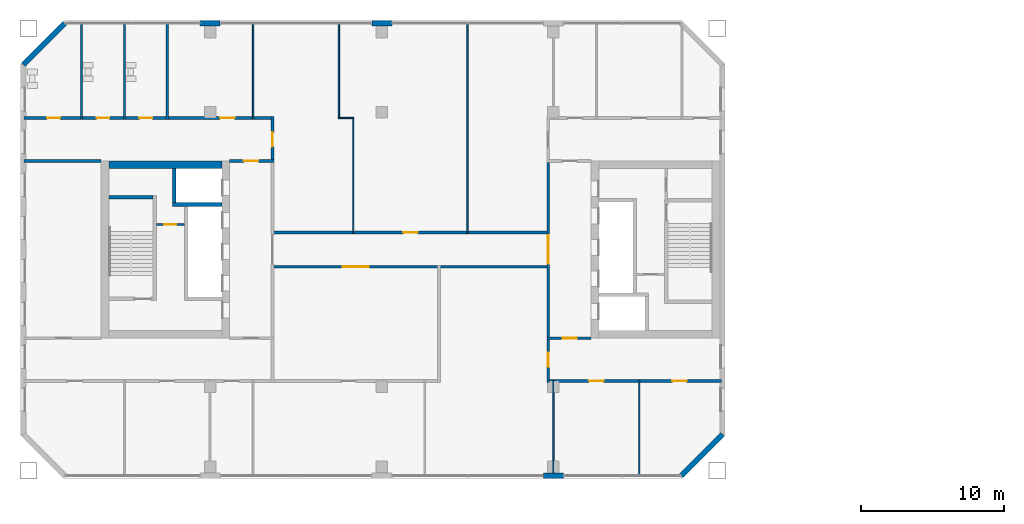
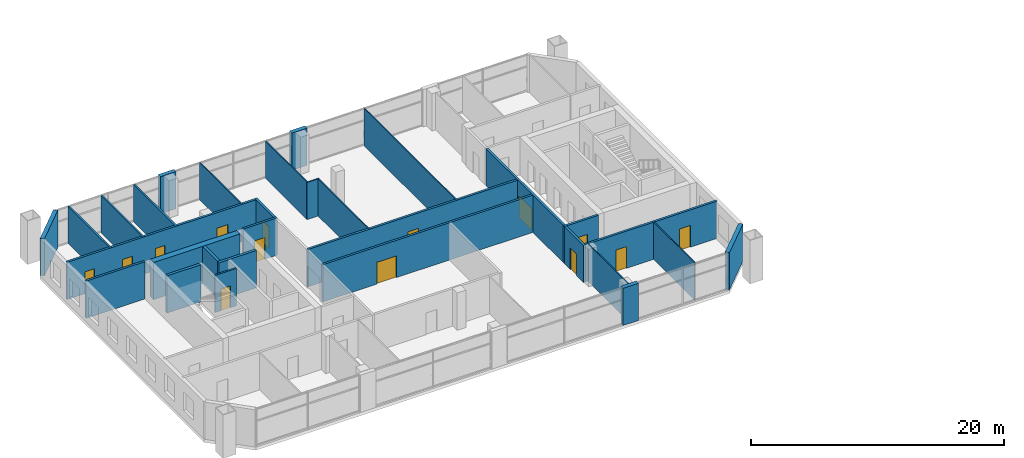
# One storey, part 10 of 17: 30 walls, 14 doors, 14 openings.
"""IFC4 building model written with IfcOpenShell, lengths in metres."""

from ifc_helpers import new_model, si_unit, direction, frame, frame_2d, origin, place, context, subcontext, project, spatial, rectangle, extrude, material, layer, layer_set, type_object, element, fill, save


model = new_model("IFC4")

# Units and contexts
model_context = context("Model", 3, precision=1e-05, world=origin(), true_north=direction((0.0, 1.0)))
body_context = subcontext(model_context, "Body", "Model", "MODEL_VIEW")
ifc_project = project(units=[si_unit("LENGTHUNIT", "METRE"), si_unit("AREAUNIT", "SQUARE_METRE"), si_unit("VOLUMEUNIT", "CUBIC_METRE"), si_unit("PLANEANGLEUNIT", "RADIAN"), si_unit("MASSUNIT", "GRAM", prefix="KILO")], contexts=[model_context])

# Site, building, storey
site_placement = place(None, origin())
site = spatial("IfcSite", under=ifc_project, at=site_placement, CompositionType="ELEMENT")
building_placement = place(site_placement, origin())
building = spatial("IfcBuilding", under=site, at=building_placement, Name="Tuart Gate Housing", CompositionType="ELEMENT")
storey_placement = place(building_placement, frame((0.0, 0.0, 119.5)))
storey = spatial("IfcBuildingStorey", under=building, at=storey_placement, Name="L33", CompositionType="ELEMENT", Elevation=119.5)

# Walls
ifc_material_1 = material(Name="Gypsum board on steel studs", Category="steel")
ifc_layer_1 = layer(ifc_material_1, 0.14990234375)
ifc_layer_set_1 = layer_set([ifc_layer_1], Name="Bathroom wall 150")
wall_type_1 = type_object("IfcWallType", Name="Bathroom wall 150", PredefinedType="PLUMBINGWALL", material=ifc_layer_set_1)
for number, where, z_axis, x_axis, name in (
    (1, (31.0, 79.10009765625, 0.0), (0.0, 0.0, 1.0), (0.0, 1.0, 0.0), "Bathroom wall 150"),
    (2, (34.0, 79.10009765625, 0.0), (0.0, 0.0, 1.0), (0.0, 1.0, 0.0), "Bathroom wall 150"),
    (3, (37.0, 79.10009765625, 0.0), (0.0, 0.0, 1.0), (0.0, 1.0, 0.0), "Bathroom wall 150"),
):
    element("IfcWall", number, at=place(storey_placement, frame(where, z_axis=z_axis, x_axis=x_axis)), inside=storey, type_object=wall_type_1, Name=name, PredefinedType="PLUMBINGWALL", context=body_context, shape_type="SweptSolid", body=[
        extrude(rectangle(XDim=6.659912109375, YDim=0.14990234375, at=frame_2d((3.330078125, 0.0))), origin(), (0.0, 0.0, 1.0), 3.60009765625),
    ])
ifc_material_2 = material(Name="Brick", Category="masonry")
ifc_layer_2 = layer(ifc_material_2, 0.360107421875)
ifc_layer_set_2 = layer_set([ifc_layer_2], Name="Brick pier and spandrel wall 360")
wall_type_2 = type_object("IfcWallType", Name="Brick pier and spandrel wall 360", PredefinedType="STANDARD", material=ifc_layer_set_2)
wall_1_placement = place(storey_placement, frame((63.300048828125, 54.179931640625, 0.0), z_axis=(0.0, 0.0, 1.0), x_axis=(1.0, 0.0, 0.0)))
element("IfcWall", 4, at=wall_1_placement, inside=storey, type_object=wall_type_2, Name="External wall A-S L33", PredefinedType="STANDARD", context=body_context, shape_type="SweptSolid", body=[
    extrude(rectangle(XDim=1.39990234375, YDim=0.360107421875, at=frame_2d((0.699951171875, 0.0))), origin(), (0.0, 0.0, 1.0), 3.60009765625),
])
wall_2_placement = place(storey_placement, frame((72.92529296875, 54.179931640625, 0.0), z_axis=(0.0, 0.0, 1.0), x_axis=(0.707106781187, 0.707106781187, 0.0)))
element("IfcWall", 5, at=wall_2_placement, inside=storey, type_object=wall_type_2, Name="External wall A-SE L33", PredefinedType="STANDARD", context=body_context, shape_type="SweptSolid", body=[
    extrude(rectangle(XDim=4.09375, YDim=0.360107421875, at=frame_2d((2.046875, 0.0))), origin(), (0.0, 0.0, 1.0), 3.60009765625),
])
for number, where, z_axis, x_axis, name in (
    (6, (52.699951171875, 85.820068359375, 0.0), (0.0, 0.0, 1.0), (-1.0, 0.0, 0.0), "External wall A-N L33"),
    (7, (40.699951171875, 85.820068359375, 0.0), (0.0, 0.0, 1.0), (-1.0, 0.0, 0.0), "External wall A-N L33"),
):
    element("IfcWall", number, at=place(storey_placement, frame(where, z_axis=z_axis, x_axis=x_axis)), inside=storey, type_object=wall_type_2, Name=name, PredefinedType="STANDARD", context=body_context, shape_type="SweptSolid", body=[
        extrude(rectangle(XDim=1.39990234375, YDim=0.360107421875, at=frame_2d((0.699951171875, 0.0))), origin(), (0.0, 0.0, 1.0), 3.60009765625),
    ])
wall_3_placement = place(storey_placement, frame((29.82470703125, 85.820068359375, 0.0), z_axis=(0.0, 0.0, 1.0), x_axis=(-0.707106781187, -0.707106781187, 0.0)))
element("IfcWall", 8, at=wall_3_placement, inside=storey, type_object=wall_type_2, Name="External wall A-NW L33", PredefinedType="STANDARD", context=body_context, shape_type="SweptSolid", body=[
    extrude(rectangle(XDim=4.09375, YDim=0.360107421875, at=frame_2d((2.046875, 0.0))), origin(), (0.0, 0.0, 1.0), 3.60009765625),
])

# Wall, opening, door
ifc_material_3 = material(Name="Plasterboard partition")
ifc_layer_3 = layer(ifc_material_3, 0.14990234375)
ifc_layer_set_3 = layer_set([ifc_layer_3], Name="Core partition 150")
wall_type_3 = type_object("IfcWallType", Name="Core partition 150", PredefinedType="PARTITIONING", material=ifc_layer_set_3)
wall_4_placement = place(storey_placement, frame((38.18505859375, 71.75, 0.0), z_axis=(0.0, 0.0, 1.0), x_axis=(-1.0, 0.0, 0.0)))
wall_4 = element("IfcWall", 9, at=wall_4_placement, inside=storey, type_object=wall_type_3, Name="Core partition AK.3", PredefinedType="PARTITIONING", context=body_context, shape_type="SweptSolid", body=[
    extrude(rectangle(XDim=1.949951171875, YDim=0.14990234375, at=frame_2d((0.97509765625, 0.0))), origin(), (0.0, 0.0, 1.0), 3.60009765625),
])
opening_1_placement = place(wall_4_placement, frame((0.550048828125, 0.0, 0.0)))
opening_1 = element("IfcOpeningElement", 10, at=opening_1_placement, cuts=wall_4, Name="Opening D154", PredefinedType="OPENING", context=body_context, shape_type="SweptSolid", body=[
    extrude(rectangle(XDim=0.85009765625, YDim=2.10009765625, at=frame_2d((0.425048828125, 1.050048828125))), frame((0.0, 0.0849609375, 0.0), z_axis=(0.0, -1.0, 0.0), x_axis=(1.0, 0.0, 0.0)), (0.0, 0.0, 1.0), 0.169921875),
])
ifc_material_4 = material(Name="Steel fire door", Category="steel")
door_type_1 = type_object("IfcDoorType", Name="Riser door 850 x 2100 RH", OperationType="SINGLE_SWING_RIGHT", PredefinedType="DOOR", material=ifc_material_4)
door_1_placement = place(opening_1_placement, frame((0.85009765625, 0.0, 0.0), z_axis=(0.0, 0.0, 1.0), x_axis=(-1.0, 0.0, 0.0)))
door_1 = element("IfcDoor", 11, at=door_1_placement, inside=storey, type_object=door_type_1, Name="Service room door AK.E1", OperationType="SINGLE_SWING_RIGHT", OverallHeight=2.10009765625, OverallWidth=0.85009765625, PredefinedType="DOOR", context=body_context, shape_type="SweptSolid", body=[
    extrude(rectangle(XDim=0.85009765625, YDim=2.10009765625, at=frame_2d((0.425048828125, 1.050048828125))), frame((0.0, 0.025146484375, 0.0), z_axis=(0.0, -1.0, 0.0), x_axis=(1.0, 0.0, 0.0)), (0.0, 0.0, 1.0), 0.050048828125),
])
fill(opening_1, door_1)

# Walls
ifc_material_5 = material(Name="Concrete C50", Category="concrete")
ifc_layer_4 = layer(ifc_material_5, 0.25)
ifc_layer_set_4 = layer_set([ifc_layer_4], Name="Core wall 250 C50")
wall_type_4 = type_object("IfcWallType", Name="Core wall 250 C50", PredefinedType="SHEAR", material=ifc_layer_set_4)
wall_5_placement = place(storey_placement, frame((35.985107421875, 73.64990234375, 0.0), z_axis=(0.0, 0.0, 1.0), x_axis=(-1.0, 0.0, 0.0)))
element("IfcWall", 12, at=wall_5_placement, inside=storey, type_object=wall_type_4, Name="Core wall AK.1", PredefinedType="SHEAR", context=body_context, shape_type="SweptSolid", body=[
    extrude(rectangle(XDim=3.0751953125, YDim=0.25, at=frame_2d((1.53759765625, 0.0))), origin(), (0.0, 0.0, 1.0), 3.60009765625),
])
wall_6_placement = place(storey_placement, frame((40.81005859375, 73.14990234375, 0.0), z_axis=(0.0, 0.0, 1.0), x_axis=(-1.0, 0.0, 0.0)))
element("IfcWall", 13, at=wall_6_placement, inside=storey, type_object=wall_type_4, Name="Core wall AK.2", PredefinedType="SHEAR", context=body_context, shape_type="SweptSolid", body=[
    extrude(rectangle(XDim=3.445068359375, YDim=0.25, at=frame_2d((1.72265625, 0.0))), origin(), (0.0, 0.0, 1.0), 3.60009765625),
])
wall_7_placement = place(storey_placement, frame((37.489990234375, 75.64990234375, 0.0), z_axis=(0.0, 0.0, 1.0), x_axis=(0.0, -1.0, 0.0)))
element("IfcWall", 14, at=wall_7_placement, inside=storey, type_object=wall_type_4, Name="Core wall AK.7", PredefinedType="SHEAR", context=body_context, shape_type="SweptSolid", body=[
    extrude(rectangle(XDim=2.375, YDim=0.25, at=frame_2d((1.1875, 0.0))), origin(), (0.0, 0.0, 1.0), 3.60009765625),
])
ifc_material_6 = material(Name="Concrete C50", Category="concrete")
ifc_layer_5 = layer(ifc_material_6, 0.550048828125)
ifc_layer_set_5 = layer_set([ifc_layer_5], Name="Core wall 550 C50")
wall_type_5 = type_object("IfcWallType", Name="Core wall 550 C50", PredefinedType="SHEAR", material=ifc_layer_set_5)
wall_8_placement = place(storey_placement, frame((40.81005859375, 75.925048828125, 0.0), z_axis=(0.0, 0.0, 1.0), x_axis=(-1.0, 0.0, 0.0)))
element("IfcWall", 15, at=wall_8_placement, inside=storey, type_object=wall_type_5, Name="Core wall AK south", PredefinedType="SHEAR", context=body_context, shape_type="SweptSolid", body=[
    extrude(rectangle(XDim=7.900146484375, YDim=0.550048828125, at=frame_2d((3.9501953125, 0.0))), origin(), (0.0, 0.0, 1.0), 3.60009765625),
])

# Wall, openings, doors
ifc_material_7 = material(Name="Concrete masonry 15 MPa", Category="masonry")
ifc_layer_6 = layer(ifc_material_7, 0.199951171875)
ifc_layer_set_6 = layer_set([ifc_layer_6], Name="Corridor wall masonry 200")
wall_type_6 = type_object("IfcWallType", Name="Corridor wall masonry 200", PredefinedType="PARTITIONING", material=ifc_layer_set_6)
wall_9_placement = place(storey_placement, frame((63.5400390625, 60.800048828125, 0.0), z_axis=(0.0, 0.0, 1.0), x_axis=(1.0, 0.0, 0.0)))
wall_9 = element("IfcWall", 16, at=wall_9_placement, inside=storey, type_object=wall_type_6, Name="Corridor wall masonry 200", PredefinedType="PARTITIONING", context=body_context, shape_type="SweptSolid", body=[
    extrude(rectangle(XDim=12.219970703125, YDim=0.199951171875, at=frame_2d((6.10986328125, 0.0))), origin(), (0.0, 0.0, 1.0), 3.60009765625),
])
opening_2_placement = place(wall_9_placement, frame((2.9599609375, 0.0, 0.0)))
opening_2 = element("IfcOpeningElement", 17, at=opening_2_placement, cuts=wall_9, Name="Opening D172", PredefinedType="OPENING", context=body_context, shape_type="SweptSolid", body=[
    extrude(rectangle(XDim=1.0, YDim=2.10009765625, at=frame_2d((0.5, 1.050048828125))), frame((0.0, 0.10986328125, 0.0), z_axis=(0.0, -1.0, 0.0), x_axis=(1.0, 0.0, 0.0)), (0.0, 0.0, 1.0), 0.219970703125),
])
opening_3_placement = place(wall_9_placement, frame((8.780029296875, 0.0, 0.0)))
opening_3 = element("IfcOpeningElement", 18, at=opening_3_placement, cuts=wall_9, Name="Opening D173", PredefinedType="OPENING", context=body_context, shape_type="SweptSolid", body=[
    extrude(rectangle(XDim=1.0, YDim=2.10009765625, at=frame_2d((0.5, 1.050048828125))), frame((0.0, 0.10986328125, 0.0), z_axis=(0.0, -1.0, 0.0), x_axis=(1.0, 0.0, 0.0)), (0.0, 0.0, 1.0), 0.219970703125),
])
ifc_material_8 = material(Name="Timber door leaf in steel frame", Category="steel")
door_type_2 = type_object("IfcDoorType", Name="Fire door 1000 RH", OperationType="SINGLE_SWING_RIGHT", PredefinedType="DOOR", material=ifc_material_8)
door_2_placement = place(opening_2_placement, frame((1.0, 0.0, 0.0), z_axis=(0.0, 0.0, 1.0), x_axis=(-1.0, 0.0, 0.0)))
door_2 = element("IfcDoor", 19, at=door_2_placement, inside=storey, type_object=door_type_2, Name="Fire door 1000", OperationType="SINGLE_SWING_RIGHT", OverallHeight=2.10009765625, OverallWidth=1.0, PredefinedType="DOOR", context=body_context, shape_type="SweptSolid", body=[
    extrude(rectangle(XDim=1.0, YDim=2.10009765625, at=frame_2d((0.5, 1.050048828125))), frame((0.0, 0.025146484375, 0.0), z_axis=(0.0, -1.0, 0.0), x_axis=(1.0, 0.0, 0.0)), (0.0, 0.0, 1.0), 0.050048828125),
])
fill(opening_2, door_2)
door_3_placement = place(opening_3_placement, frame((1.0, 0.0, 0.0), z_axis=(0.0, 0.0, 1.0), x_axis=(-1.0, 0.0, 0.0)))
door_3 = element("IfcDoor", 20, at=door_3_placement, inside=storey, type_object=door_type_2, Name="Fire door 1000", OperationType="SINGLE_SWING_RIGHT", OverallHeight=2.10009765625, OverallWidth=1.0, PredefinedType="DOOR", context=body_context, shape_type="SweptSolid", body=[
    extrude(rectangle(XDim=1.0, YDim=2.10009765625, at=frame_2d((0.5, 1.050048828125))), frame((0.0, 0.025146484375, 0.0), z_axis=(0.0, -1.0, 0.0), x_axis=(1.0, 0.0, 0.0)), (0.0, 0.0, 1.0), 0.050048828125),
])
fill(opening_3, door_3)

# Wall, opening, door
wall_10_placement = place(storey_placement, frame((44.360107421875, 68.800048828125, 0.0), z_axis=(0.0, 0.0, 1.0), x_axis=(1.0, 0.0, 0.0)))
wall_10 = element("IfcWall", 21, at=wall_10_placement, inside=storey, type_object=wall_type_6, Name="Corridor wall masonry 200", PredefinedType="PARTITIONING", context=body_context, shape_type="SweptSolid", body=[
    extrude(rectangle(XDim=19.27978515625, YDim=0.199951171875, at=frame_2d((9.639892578125, 0.0))), origin(), (0.0, 0.0, 1.0), 3.60009765625),
])
opening_4_placement = place(wall_10_placement, frame((4.919921875, 0.0, 0.0)))
opening_4 = element("IfcOpeningElement", 22, at=opening_4_placement, cuts=wall_10, Name="Opening D161", PredefinedType="OPENING", context=body_context, shape_type="SweptSolid", body=[
    extrude(rectangle(XDim=1.800048828125, YDim=2.10009765625, at=frame_2d((0.89990234375, 1.050048828125))), frame((0.0, 0.10986328125, 0.0), z_axis=(0.0, -1.0, 0.0), x_axis=(1.0, 0.0, 0.0)), (0.0, 0.0, 1.0), 0.219970703125),
])
ifc_material_9 = material(Name="Timber door leaf in steel frame", Category="steel")
door_type_3 = type_object("IfcDoorType", Name="Double door 1800", OperationType="DOUBLE_DOOR_SINGLE_SWING", PredefinedType="DOOR", material=ifc_material_9)
door_4_placement = place(opening_4_placement, frame((1.800048828125, 0.0, 0.0), z_axis=(0.0, 0.0, 1.0), x_axis=(-1.0, 0.0, 0.0)))
door_4 = element("IfcDoor", 23, at=door_4_placement, inside=storey, type_object=door_type_3, Name="Double door 1800", OperationType="DOUBLE_DOOR_SINGLE_SWING", OverallHeight=2.10009765625, OverallWidth=1.800048828125, PredefinedType="DOOR", context=body_context, shape_type="SweptSolid", body=[
    extrude(rectangle(XDim=1.800048828125, YDim=2.10009765625, at=frame_2d((0.900146484375, 1.050048828125))), frame((0.0, 0.025146484375, 0.0), z_axis=(0.0, -1.0, 0.0), x_axis=(1.0, 0.0, 0.0)), (0.0, 0.0, 1.0), 0.050048828125),
])
fill(opening_4, door_4)

wall_11_placement = place(storey_placement, frame((44.360107421875, 71.199951171875, 0.0), z_axis=(0.0, 0.0, 1.0), x_axis=(1.0, 0.0, 0.0)))
wall_11 = element("IfcWall", 24, at=wall_11_placement, inside=storey, type_object=wall_type_6, Name="Corridor wall masonry 200", PredefinedType="PARTITIONING", context=body_context, shape_type="SweptSolid", body=[
    extrude(rectangle(XDim=19.27978515625, YDim=0.199951171875, at=frame_2d((9.639892578125, 0.0))), origin(), (0.0, 0.0, 1.0), 3.60009765625),
])
opening_5_placement = place(wall_11_placement, frame((9.139892578125, 0.0, 0.0)))
opening_5 = element("IfcOpeningElement", 25, at=opening_5_placement, cuts=wall_11, Name="Opening D155", PredefinedType="OPENING", context=body_context, shape_type="SweptSolid", body=[
    extrude(rectangle(XDim=1.0, YDim=2.10009765625, at=frame_2d((0.5, 1.050048828125))), frame((0.0, 0.10986328125, 0.0), z_axis=(0.0, -1.0, 0.0), x_axis=(1.0, 0.0, 0.0)), (0.0, 0.0, 1.0), 0.219970703125),
])
ifc_material_10 = material(Name="Timber door leaf in steel frame", Category="steel")
door_type_4 = type_object("IfcDoorType", Name="Fire door 1000", OperationType="SINGLE_SWING_LEFT", PredefinedType="DOOR", material=ifc_material_10)
door_5_placement = place(opening_5_placement, origin())
door_5 = element("IfcDoor", 26, at=door_5_placement, inside=storey, type_object=door_type_4, Name="Fire door 1000", OperationType="SINGLE_SWING_LEFT", OverallHeight=2.10009765625, OverallWidth=1.0, PredefinedType="DOOR", context=body_context, shape_type="SweptSolid", body=[
    extrude(rectangle(XDim=1.0, YDim=2.10009765625, at=frame_2d((0.5, 1.050048828125))), frame((0.0, 0.02490234375, 0.0), z_axis=(0.0, -1.0, 0.0), x_axis=(1.0, 0.0, 0.0)), (0.0, 0.0, 1.0), 0.050048828125),
])
fill(opening_5, door_5)

# Wall
wall_12_placement = place(storey_placement, frame((26.989990234375, 76.199951171875, 0.0), z_axis=(0.0, 0.0, 1.0), x_axis=(1.0, 0.0, 0.0)))
element("IfcWall", 27, at=wall_12_placement, inside=storey, type_object=wall_type_6, Name="Corridor wall masonry 200", PredefinedType="PARTITIONING", context=body_context, shape_type="SweptSolid", body=[
    extrude(rectangle(XDim=5.3701171875, YDim=0.199951171875, at=frame_2d((2.68505859375, 0.0))), origin(), (0.0, 0.0, 1.0), 3.60009765625),
])

# Wall, openings, doors
wall_13_placement = place(storey_placement, frame((26.989990234375, 79.199951171875, 0.0), z_axis=(0.0, 0.0, 1.0), x_axis=(1.0, 0.0, 0.0)))
wall_13 = element("IfcWall", 28, at=wall_13_placement, inside=storey, type_object=wall_type_6, Name="Corridor wall masonry 200", PredefinedType="PARTITIONING", context=body_context, shape_type="SweptSolid", body=[
    extrude(rectangle(XDim=17.469970703125, YDim=0.199951171875, at=frame_2d((8.73486328125, 0.0))), origin(), (0.0, 0.0, 1.0), 3.60009765625),
])
opening_6_placement = place(wall_13_placement, frame((1.614990234375, 0.0, 0.0)))
opening_6 = element("IfcOpeningElement", 29, at=opening_6_placement, cuts=wall_13, Name="Opening D143", PredefinedType="OPENING", context=body_context, shape_type="SweptSolid", body=[
    extrude(rectangle(XDim=0.89990234375, YDim=2.10009765625, at=frame_2d((0.449951171875, 1.050048828125))), frame((0.0, 0.10986328125, 0.0), z_axis=(0.0, -1.0, 0.0), x_axis=(1.0, 0.0, 0.0)), (0.0, 0.0, 1.0), 0.219970703125),
])
opening_7_placement = place(wall_13_placement, frame((5.06005859375, 0.0, 0.0)))
opening_7 = element("IfcOpeningElement", 30, at=opening_7_placement, cuts=wall_13, Name="Opening D144", PredefinedType="OPENING", context=body_context, shape_type="SweptSolid", body=[
    extrude(rectangle(XDim=0.89990234375, YDim=2.10009765625, at=frame_2d((0.449951171875, 1.050048828125))), frame((0.0, 0.10986328125, 0.0), z_axis=(0.0, -1.0, 0.0), x_axis=(1.0, 0.0, 0.0)), (0.0, 0.0, 1.0), 0.219970703125),
])
opening_8_placement = place(wall_13_placement, frame((8.06005859375, 0.0, 0.0)))
opening_8 = element("IfcOpeningElement", 31, at=opening_8_placement, cuts=wall_13, Name="Opening D145", PredefinedType="OPENING", context=body_context, shape_type="SweptSolid", body=[
    extrude(rectangle(XDim=0.89990234375, YDim=2.10009765625, at=frame_2d((0.449951171875, 1.050048828125))), frame((0.0, 0.10986328125, 0.0), z_axis=(0.0, -1.0, 0.0), x_axis=(1.0, 0.0, 0.0)), (0.0, 0.0, 1.0), 0.219970703125),
])
opening_9_placement = place(wall_13_placement, frame((13.7099609375, 0.0, 0.0)))
opening_9 = element("IfcOpeningElement", 32, at=opening_9_placement, cuts=wall_13, Name="Opening D142", PredefinedType="OPENING", context=body_context, shape_type="SweptSolid", body=[
    extrude(rectangle(XDim=1.0, YDim=2.10009765625, at=frame_2d((0.5, 1.050048828125))), frame((0.0, 0.10986328125, 0.0), z_axis=(0.0, -1.0, 0.0), x_axis=(1.0, 0.0, 0.0)), (0.0, 0.0, 1.0), 0.219970703125),
])
door_6_placement = place(opening_9_placement, origin())
door_6 = element("IfcDoor", 33, at=door_6_placement, inside=storey, type_object=door_type_2, Name="Fire door 1000", OperationType="SINGLE_SWING_RIGHT", OverallHeight=2.10009765625, OverallWidth=1.0, PredefinedType="DOOR", context=body_context, shape_type="SweptSolid", body=[
    extrude(rectangle(XDim=1.0, YDim=2.10009765625, at=frame_2d((0.5, 1.050048828125))), frame((0.0, 0.02490234375, 0.0), z_axis=(0.0, -1.0, 0.0), x_axis=(1.0, 0.0, 0.0)), (0.0, 0.0, 1.0), 0.050048828125),
])
fill(opening_9, door_6)
ifc_material_11 = material(Name="Timber door leaf in steel frame", Category="steel")
door_type_5 = type_object("IfcDoorType", Name="Fire door 900", OperationType="SINGLE_SWING_LEFT", PredefinedType="DOOR", material=ifc_material_11)
door_7_placement = place(opening_6_placement, origin())
door_7 = element("IfcDoor", 34, at=door_7_placement, inside=storey, type_object=door_type_5, Name="Fire door 900", OperationType="SINGLE_SWING_LEFT", OverallHeight=2.10009765625, OverallWidth=0.89990234375, PredefinedType="DOOR", context=body_context, shape_type="SweptSolid", body=[
    extrude(rectangle(XDim=0.89990234375, YDim=2.10009765625, at=frame_2d((0.449951171875, 1.050048828125))), frame((0.0, 0.02490234375, 0.0), z_axis=(0.0, -1.0, 0.0), x_axis=(1.0, 0.0, 0.0)), (0.0, 0.0, 1.0), 0.050048828125),
])
fill(opening_6, door_7)
door_8_placement = place(opening_7_placement, origin())
door_8 = element("IfcDoor", 35, at=door_8_placement, inside=storey, type_object=door_type_5, Name="Fire door 900", OperationType="SINGLE_SWING_LEFT", OverallHeight=2.10009765625, OverallWidth=0.89990234375, PredefinedType="DOOR", context=body_context, shape_type="SweptSolid", body=[
    extrude(rectangle(XDim=0.89990234375, YDim=2.10009765625, at=frame_2d((0.449951171875, 1.050048828125))), frame((0.0, 0.02490234375, 0.0), z_axis=(0.0, -1.0, 0.0), x_axis=(1.0, 0.0, 0.0)), (0.0, 0.0, 1.0), 0.050048828125),
])
fill(opening_7, door_8)
door_9_placement = place(opening_8_placement, origin())
door_9 = element("IfcDoor", 36, at=door_9_placement, inside=storey, type_object=door_type_5, Name="Fire door 900", OperationType="SINGLE_SWING_LEFT", OverallHeight=2.10009765625, OverallWidth=0.89990234375, PredefinedType="DOOR", context=body_context, shape_type="SweptSolid", body=[
    extrude(rectangle(XDim=0.89990234375, YDim=2.10009765625, at=frame_2d((0.449951171875, 1.050048828125))), frame((0.0, 0.02490234375, 0.0), z_axis=(0.0, -1.0, 0.0), x_axis=(1.0, 0.0, 0.0)), (0.0, 0.0, 1.0), 0.050048828125),
])
fill(opening_8, door_9)

# Wall, opening, door
wall_14_placement = place(storey_placement, frame((44.360107421875, 76.10009765625, 0.0), z_axis=(0.0, 0.0, 1.0), x_axis=(0.0, 1.0, 0.0)))
wall_14 = element("IfcWall", 37, at=wall_14_placement, inside=storey, type_object=wall_type_6, Name="Corridor wall masonry 200", PredefinedType="PARTITIONING", context=body_context, shape_type="SweptSolid", body=[
    extrude(rectangle(XDim=3.199951171875, YDim=0.199951171875, at=frame_2d((1.60009765625, 0.0))), origin(), (0.0, 0.0, 1.0), 3.60009765625),
])
opening_10_placement = place(wall_14_placement, frame((1.10009765625, 0.0, 0.0)))
opening_10 = element("IfcOpeningElement", 38, at=opening_10_placement, cuts=wall_14, Name="Opening D149", PredefinedType="OPENING", context=body_context, shape_type="SweptSolid", body=[
    extrude(rectangle(XDim=1.0, YDim=2.10009765625, at=frame_2d((0.5, 1.050048828125))), frame((0.0, 0.10986328125, 0.0), z_axis=(0.0, -1.0, 0.0), x_axis=(1.0, 0.0, 0.0)), (0.0, 0.0, 1.0), 0.219970703125),
])
door_10_placement = place(opening_10_placement, frame((1.0, 0.0, 0.0), z_axis=(0.0, 0.0, 1.0), x_axis=(-1.0, 0.0, 0.0)))
door_10 = element("IfcDoor", 39, at=door_10_placement, inside=storey, type_object=door_type_2, Name="Fire door 1000", OperationType="SINGLE_SWING_RIGHT", OverallHeight=2.10009765625, OverallWidth=1.0, PredefinedType="DOOR", context=body_context, shape_type="SweptSolid", body=[
    extrude(rectangle(XDim=1.0, YDim=2.10009765625, at=frame_2d((0.5, 1.050048828125))), frame((0.0, 0.025146484375, 0.0), z_axis=(0.0, -1.0, 0.0), x_axis=(1.0, 0.0, 0.0)), (0.0, 0.0, 1.0), 0.050048828125),
])
fill(opening_10, door_10)

wall_15_placement = place(storey_placement, frame((63.639892578125, 60.699951171875, 0.0), z_axis=(0.0, 0.0, 1.0), x_axis=(0.0, 1.0, 0.0)))
wall_15 = element("IfcWall", 40, at=wall_15_placement, inside=storey, type_object=wall_type_6, Name="Corridor wall masonry 200", PredefinedType="PARTITIONING", context=body_context, shape_type="SweptSolid", body=[
    extrude(rectangle(XDim=3.199951171875, YDim=0.199951171875, at=frame_2d((1.60009765625, 0.0))), origin(), (0.0, 0.0, 1.0), 3.60009765625),
])
opening_11_placement = place(wall_15_placement, frame((1.10009765625, 0.0, 0.0)))
opening_11 = element("IfcOpeningElement", 41, at=opening_11_placement, cuts=wall_15, Name="Opening D167", PredefinedType="OPENING", context=body_context, shape_type="SweptSolid", body=[
    extrude(rectangle(XDim=1.0, YDim=2.10009765625, at=frame_2d((0.5, 1.050048828125))), frame((0.0, 0.10986328125, 0.0), z_axis=(0.0, -1.0, 0.0), x_axis=(1.0, 0.0, 0.0)), (0.0, 0.0, 1.0), 0.219970703125),
])
door_11_placement = place(opening_11_placement, frame((1.0, 0.0, 0.0), z_axis=(0.0, 0.0, 1.0), x_axis=(-1.0, 0.0, 0.0)))
door_11 = element("IfcDoor", 42, at=door_11_placement, inside=storey, type_object=door_type_2, Name="Fire door 1000", OperationType="SINGLE_SWING_RIGHT", OverallHeight=2.10009765625, OverallWidth=1.0, PredefinedType="DOOR", context=body_context, shape_type="SweptSolid", body=[
    extrude(rectangle(XDim=1.0, YDim=2.10009765625, at=frame_2d((0.5, 1.050048828125))), frame((0.0, 0.025146484375, 0.0), z_axis=(0.0, -1.0, 0.0), x_axis=(1.0, 0.0, 0.0)), (0.0, 0.0, 1.0), 0.050048828125),
])
fill(opening_11, door_11)

ifc_material_12 = material(Name="Concrete masonry 15 MPa", Category="masonry")
ifc_layer_7 = layer(ifc_material_12, 0.199951171875)
ifc_layer_set_7 = layer_set([ifc_layer_7], Name="Enclosure wall masonry 200")
wall_type_7 = type_object("IfcWallType", Name="Enclosure wall masonry 200", PredefinedType="PARTITIONING", material=ifc_layer_set_7)
wall_16_placement = place(storey_placement, frame((63.5400390625, 63.800048828125, 0.0), z_axis=(0.0, 0.0, 1.0), x_axis=(1.0, 0.0, 0.0)))
wall_16 = element("IfcWall", 43, at=wall_16_placement, inside=storey, type_object=wall_type_7, Name="Enclosure wall masonry 200", PredefinedType="PARTITIONING", context=body_context, shape_type="SweptSolid", body=[
    extrude(rectangle(XDim=3.099853515625, YDim=0.199951171875, at=frame_2d((1.5498046875, 0.0))), origin(), (0.0, 0.0, 1.0), 3.60009765625),
])
opening_12_placement = place(wall_16_placement, frame((1.10009765625, 0.0, 0.0)))
opening_12 = element("IfcOpeningElement", 44, at=opening_12_placement, cuts=wall_16, Name="Opening D166", PredefinedType="OPENING", context=body_context, shape_type="SweptSolid", body=[
    extrude(rectangle(XDim=1.0, YDim=2.10009765625, at=frame_2d((0.5, 1.050048828125))), frame((0.0, 0.10986328125, 0.0), z_axis=(0.0, -1.0, 0.0), x_axis=(1.0, 0.0, 0.0)), (0.0, 0.0, 1.0), 0.219970703125),
])
ifc_material_13 = material(Name="Timber door leaf in steel frame", Category="steel")
door_type_6 = type_object("IfcDoorType", Name="Lobby door 1000 RH", OperationType="SINGLE_SWING_RIGHT", PredefinedType="DOOR", material=ifc_material_13)
door_12_placement = place(opening_12_placement, frame((1.0, 0.0, 0.0), z_axis=(0.0, 0.0, 1.0), x_axis=(-1.0, 0.0, 0.0)))
door_12 = element("IfcDoor", 45, at=door_12_placement, inside=storey, type_object=door_type_6, Name="Lobby door 1000", OperationType="SINGLE_SWING_RIGHT", OverallHeight=2.10009765625, OverallWidth=1.0, PredefinedType="DOOR", context=body_context, shape_type="SweptSolid", body=[
    extrude(rectangle(XDim=1.0, YDim=2.10009765625, at=frame_2d((0.5, 1.050048828125))), frame((0.0, 0.025146484375, 0.0), z_axis=(0.0, -1.0, 0.0), x_axis=(1.0, 0.0, 0.0)), (0.0, 0.0, 1.0), 0.050048828125),
])
fill(opening_12, door_12)

wall_17_placement = place(storey_placement, frame((41.360107421875, 76.199951171875, 0.0), z_axis=(0.0, 0.0, 1.0), x_axis=(1.0, 0.0, 0.0)))
wall_17 = element("IfcWall", 46, at=wall_17_placement, inside=storey, type_object=wall_type_7, Name="Enclosure wall masonry 200", PredefinedType="PARTITIONING", context=body_context, shape_type="SweptSolid", body=[
    extrude(rectangle(XDim=3.099853515625, YDim=0.199951171875, at=frame_2d((1.5498046875, 0.0))), origin(), (0.0, 0.0, 1.0), 3.60009765625),
])
opening_13_placement = place(wall_17_placement, frame((1.0, 0.0, 0.0)))
opening_13 = element("IfcOpeningElement", 47, at=opening_13_placement, cuts=wall_17, Name="Opening D151", PredefinedType="OPENING", context=body_context, shape_type="SweptSolid", body=[
    extrude(rectangle(XDim=1.0, YDim=2.10009765625, at=frame_2d((0.5, 1.050048828125))), frame((0.0, 0.10986328125, 0.0), z_axis=(0.0, -1.0, 0.0), x_axis=(1.0, 0.0, 0.0)), (0.0, 0.0, 1.0), 0.219970703125),
])
door_13_placement = place(opening_13_placement, origin())
door_13 = element("IfcDoor", 48, at=door_13_placement, inside=storey, type_object=door_type_6, Name="Lobby door 1000", OperationType="SINGLE_SWING_RIGHT", OverallHeight=2.10009765625, OverallWidth=1.0, PredefinedType="DOOR", context=body_context, shape_type="SweptSolid", body=[
    extrude(rectangle(XDim=1.0, YDim=2.10009765625, at=frame_2d((0.5, 1.050048828125))), frame((0.0, 0.02490234375, 0.0), z_axis=(0.0, -1.0, 0.0), x_axis=(1.0, 0.0, 0.0)), (0.0, 0.0, 1.0), 0.050048828125),
])
fill(opening_13, door_13)

ifc_material_14 = material(Name="Plasterboard partition")
ifc_layer_8 = layer(ifc_material_14, 0.199951171875)
ifc_layer_set_8 = layer_set([ifc_layer_8], Name="Lobby wall 200")
wall_type_8 = type_object("IfcWallType", Name="Lobby wall 200", PredefinedType="PARTITIONING", material=ifc_layer_set_8)
wall_18_placement = place(storey_placement, frame((63.639892578125, 63.89990234375, 0.0), z_axis=(0.0, 0.0, 1.0), x_axis=(0.0, 1.0, 0.0)))
wall_18 = element("IfcWall", 49, at=wall_18_placement, inside=storey, type_object=wall_type_8, Name="Lift lobby wall AG", PredefinedType="PARTITIONING", context=body_context, shape_type="SweptSolid", body=[
    extrude(rectangle(XDim=12.2001953125, YDim=0.199951171875, at=frame_2d((6.10009765625, 0.0))), origin(), (0.0, 0.0, 1.0), 3.60009765625),
])
opening_14_placement = place(wall_18_placement, frame((5.10009765625, 0.0, 0.0)))
opening_14 = element("IfcOpeningElement", 50, at=opening_14_placement, cuts=wall_18, Name="Opening D158", PredefinedType="OPENING", context=body_context, shape_type="SweptSolid", body=[
    extrude(rectangle(XDim=2.0, YDim=2.10009765625, at=frame_2d((1.0, 1.050048828125))), frame((0.0, 0.10986328125, 0.0), z_axis=(0.0, -1.0, 0.0), x_axis=(1.0, 0.0, 0.0)), (0.0, 0.0, 1.0), 0.219970703125),
])
ifc_material_15 = material(Name="Steel fire door", Category="steel")
door_type_7 = type_object("IfcDoorType", Name="Smoke door 2000 x 2100", OperationType="DOUBLE_DOOR_SINGLE_SWING", PredefinedType="DOOR", material=ifc_material_15)
door_14_placement = place(opening_14_placement, frame((2.0, 0.0, 0.0), z_axis=(0.0, 0.0, 1.0), x_axis=(-1.0, 0.0, 0.0)))
door_14 = element("IfcDoor", 51, at=door_14_placement, inside=storey, type_object=door_type_7, Name="Lift lobby smoke door AG", OperationType="DOUBLE_DOOR_SINGLE_SWING", OverallHeight=2.10009765625, OverallWidth=2.0, PredefinedType="DOOR", context=body_context, shape_type="SweptSolid", body=[
    extrude(rectangle(XDim=2.0, YDim=2.10009765625, at=frame_2d((1.0, 1.050048828125))), frame((0.0, 0.025146484375, 0.0), z_axis=(0.0, -1.0, 0.0), x_axis=(1.0, 0.0, 0.0)), (0.0, 0.0, 1.0), 0.050048828125),
])
fill(opening_14, door_14)

# Walls
ifc_material_16 = material(Name="Gypsum board on steel studs", Category="steel")
ifc_layer_9 = layer(ifc_material_16, 0.10009765625)
ifc_layer_set_9 = layer_set([ifc_layer_9], Name="Partition 100")
wall_type_9 = type_object("IfcWallType", Name="Partition 100", PredefinedType="PARTITIONING", material=ifc_layer_set_9)
wall_19_placement = place(storey_placement, frame((48.949951171875, 79.199951171875, 0.0), z_axis=(0.0, 0.0, 1.0), x_axis=(1.0, 0.0, 0.0)))
element("IfcWall", 52, at=wall_19_placement, inside=storey, type_object=wall_type_9, Name="Partition 100", PredefinedType="PARTITIONING", context=body_context, shape_type="SweptSolid", body=[
    extrude(rectangle(XDim=1.10009765625, YDim=0.10009765625, at=frame_2d((0.550048828125, 0.0))), origin(), (0.0, 0.0, 1.0), 3.60009765625),
])
wall_20_placement = place(storey_placement, frame((43.0, 79.10009765625, 0.0), z_axis=(0.0, 0.0, 1.0), x_axis=(0.0, 1.0, 0.0)))
element("IfcWall", 53, at=wall_20_placement, inside=storey, type_object=wall_type_9, Name="Partition 100", PredefinedType="PARTITIONING", context=body_context, shape_type="SweptSolid", body=[
    extrude(rectangle(XDim=6.659912109375, YDim=0.10009765625, at=frame_2d((3.330078125, 0.0))), origin(), (0.0, 0.0, 1.0), 3.60009765625),
])
wall_21_placement = place(storey_placement, frame((49.0, 79.14990234375, 0.0), z_axis=(0.0, 0.0, 1.0), x_axis=(0.0, 1.0, 0.0)))
element("IfcWall", 54, at=wall_21_placement, inside=storey, type_object=wall_type_9, Name="Partition 100", PredefinedType="PARTITIONING", context=body_context, shape_type="SweptSolid", body=[
    extrude(rectangle(XDim=6.610107421875, YDim=0.10009765625, at=frame_2d((3.30517578125, 0.0))), origin(), (0.0, 0.0, 1.0), 3.60009765625),
])
wall_22_placement = place(storey_placement, frame((50.0, 71.10009765625, 0.0), z_axis=(0.0, 0.0, 1.0), x_axis=(0.0, 1.0, 0.0)))
element("IfcWall", 55, at=wall_22_placement, inside=storey, type_object=wall_type_9, Name="Partition 100", PredefinedType="PARTITIONING", context=body_context, shape_type="SweptSolid", body=[
    extrude(rectangle(XDim=8.14990234375, YDim=0.10009765625, at=frame_2d((4.074951171875, 0.0))), origin(), (0.0, 0.0, 1.0), 3.60009765625),
])
wall_23_placement = place(storey_placement, frame((58.0, 71.10009765625, 0.0), z_axis=(0.0, 0.0, 1.0), x_axis=(0.0, 1.0, 0.0)))
element("IfcWall", 56, at=wall_23_placement, inside=storey, type_object=wall_type_9, Name="Partition 100", PredefinedType="PARTITIONING", context=body_context, shape_type="SweptSolid", body=[
    extrude(rectangle(XDim=14.659912109375, YDim=0.10009765625, at=frame_2d((7.330078125, 0.0))), origin(), (0.0, 0.0, 1.0), 3.60009765625),
])
for number, where, z_axis, x_axis, name in (
    (57, (64.0, 54.239990234375, 0.0), (0.0, 0.0, 1.0), (0.0, 1.0, 0.0), "Partition 100"),
    (58, (70.0, 54.239990234375, 0.0), (0.0, 0.0, 1.0), (0.0, 1.0, 0.0), "Partition 100"),
):
    element("IfcWall", number, at=place(storey_placement, frame(where, z_axis=z_axis, x_axis=x_axis)), inside=storey, type_object=wall_type_9, Name=name, PredefinedType="PARTITIONING", context=body_context, shape_type="SweptSolid", body=[
        extrude(rectangle(XDim=6.659912109375, YDim=0.10009765625, at=frame_2d((3.330078125, 0.0))), origin(), (0.0, 0.0, 1.0), 3.60009765625),
    ])

save(model, "model.ifc")
